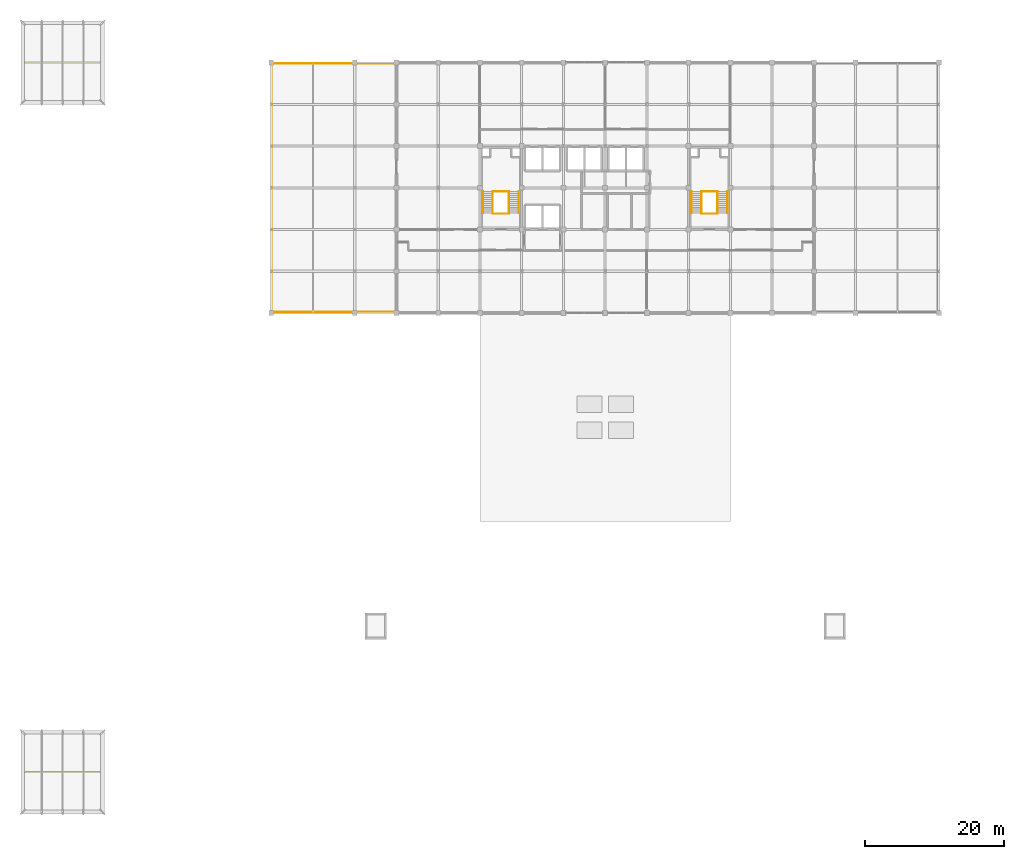
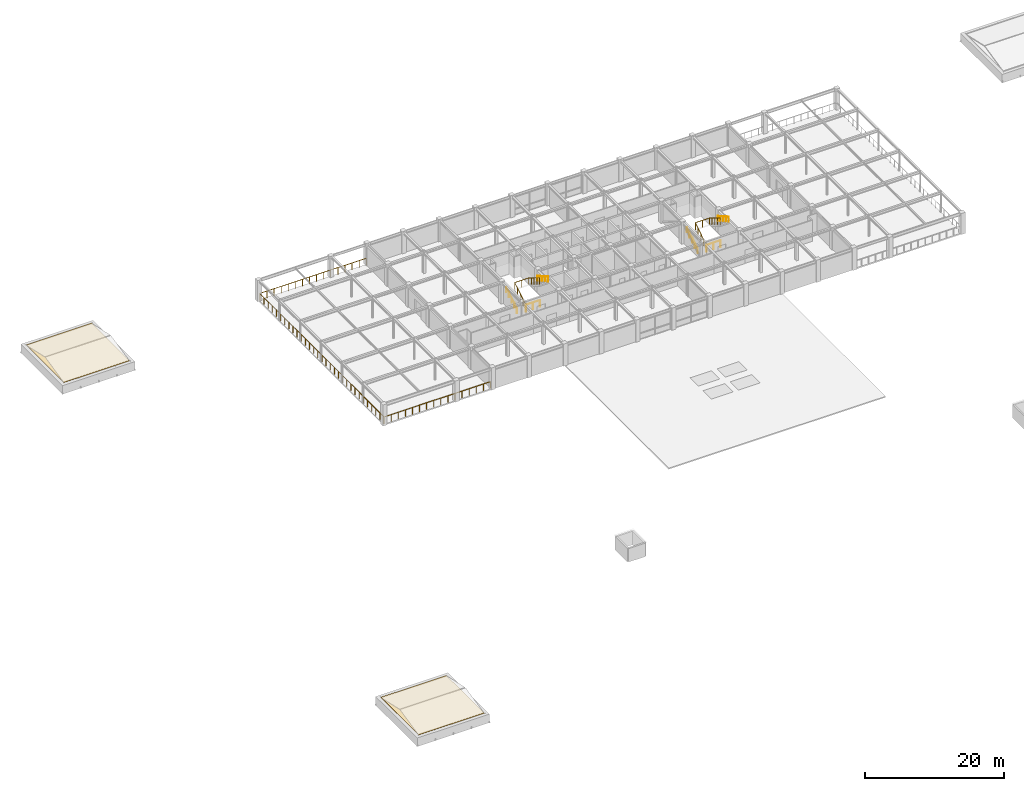
# One storey, part 24 of 25: 9 railings, 2 coverings.
"""IFC4 building model written with IfcOpenShell, lengths in metres."""

import ifcopenshell
import ifcopenshell.guid

model = None  # the IFC model being written
_history = None  # IfcOwnerHistory: only IFC2X3 demands one
_inside = {}  # id of a spatial element -> (the spatial element, [elements in it])
_under = {}  # id of a project, library or spatial element -> (it, [spatial elements below it])
_declared = {}  # id of a project -> (the project, [libraries it declares])
_typed = {}  # id of a type object -> (the type object, [elements of that type])
_made_of = {}  # id of a material, layer set ... -> (it, [elements and type objects made of it])


def new_model(schema):
    """Start an empty IFC model of exactly this schema.

    Asked for "IFC4X3", IfcOpenShell would pick the latest addendum, in which some entities
    have other attributes; the version numbers below select the first issue.
    IFC2X3 requires an IfcOwnerHistory on every rooted entity: one is made here for all.
    """
    global model, _history
    if schema == "IFC4X3":
        model = ifcopenshell.file(schema_version=(4, 3, 0, 0))
    else:
        model = ifcopenshell.file(schema=schema)
    _inside.clear()
    _under.clear()
    _declared.clear()
    _typed.clear()
    _made_of.clear()
    _history = None
    if model.schema == "IFC2X3":
        org = make("IfcOrganization", Name="unknown")
        user = make(
            "IfcPersonAndOrganization",
            ThePerson=make("IfcPerson", FamilyName="unknown"),
            TheOrganization=org,
        )
        app = make(
            "IfcApplication",
            ApplicationDeveloper=org,
            Version="unknown",
            ApplicationFullName="unknown",
            ApplicationIdentifier="unknown",
        )
        _history = make(
            "IfcOwnerHistory",
            OwningUser=user,
            OwningApplication=app,
            ChangeAction="ADDED",
            CreationDate=0,
        )
    return model


def make(cls, **values):
    """One entity of the class cls with the attributes given. An attribute that is None is left unset."""
    return model.create_entity(
        cls, **{name: value for name, value in values.items() if value is not None}
    )


def rooted(cls, **values):
    """An entity with a GlobalId (a new one), such as an element, a storey or a relation."""
    return make(cls, GlobalId=ifcopenshell.guid.new(), OwnerHistory=_history, **values)


def si_unit(unit_type, name, prefix=None):
    """IfcSIUnit, for example si_unit("LENGTHUNIT", "METRE", prefix="MILLI")."""
    return make("IfcSIUnit", UnitType=unit_type, Prefix=prefix, Name=name)


def assignment(units):
    """IfcUnitAssignment: the units of a project."""
    return None if units is None else make("IfcUnitAssignment", Units=units)


def point(xyz):
    """IfcCartesianPoint."""
    return None if xyz is None else make("IfcCartesianPoint", Coordinates=xyz)


def direction(xyz):
    """IfcDirection."""
    return None if xyz is None else make("IfcDirection", DirectionRatios=xyz)


def frame(location, z_axis=None, x_axis=None):
    """IfcAxis2Placement3D, a coordinate frame: its origin and axes. An axis left out is left unset."""
    return make(
        "IfcAxis2Placement3D",
        Location=point(location),
        Axis=direction(z_axis),
        RefDirection=direction(x_axis),
    )


def frame_2d(location, x_axis=None):
    """IfcAxis2Placement2D, a coordinate frame in the plane: its origin and x axis."""
    return make(
        "IfcAxis2Placement2D", Location=point(location), RefDirection=direction(x_axis)
    )


def origin():
    """The frame at (0, 0, 0) with its axes left unset."""
    return frame((0.0, 0.0, 0.0))


def origin_2d():
    """The frame at (0, 0) in the plane with its x axis left unset."""
    return frame_2d((0.0, 0.0))


def place(relative_to, where):
    """IfcLocalPlacement: puts the frame where relative to a parent placement (None: the world)."""
    return make(
        "IfcLocalPlacement", PlacementRelTo=relative_to, RelativePlacement=where
    )


def context(
    kind, dimensions, precision=None, world=None, true_north=None, identifier=None
):
    """IfcGeometricRepresentationContext, for example the 3D "Model" context."""
    return make(
        "IfcGeometricRepresentationContext",
        ContextIdentifier=identifier,
        ContextType=kind,
        CoordinateSpaceDimension=dimensions,
        Precision=precision,
        WorldCoordinateSystem=world,
        TrueNorth=true_north,
    )


def subcontext(parent, identifier, kind, view, scale=None):
    """IfcGeometricRepresentationSubContext, for example "Body" below "Model"."""
    return make(
        "IfcGeometricRepresentationSubContext",
        ContextIdentifier=identifier,
        ContextType=kind,
        ParentContext=parent,
        TargetScale=scale,
        TargetView=view,
    )


def project(units=None, contexts=None):
    """IfcProject with its units and contexts."""
    return rooted(
        "IfcProject",
        Name="project",
        RepresentationContexts=contexts,
        UnitsInContext=assignment(units),
    )


def spatial(cls, under=None, at=None, **own):
    """A site, building, storey or space (cls), placed at a placement, below another one or the project."""
    s = rooted(cls, ObjectPlacement=at, **own)
    if under is not None:
        _under.setdefault(under.id(), (under, []))[1].append(s)
    return s


def polyline(points):
    """IfcPolyline through the points."""
    return make("IfcPolyline", Points=[point(p) for p in points])


def profile(cls, at=None, kind="AREA", **sizes):
    """A parametric profile (cls). Its sizes go by their IFC names, for example OverallWidth=200.0."""
    return make(cls, ProfileType=kind, Position=at, **sizes)


def circle(**sizes):
    """IfcCircleProfileDef."""
    return profile("IfcCircleProfileDef", **sizes)


def outline(outer, holes=None, kind="AREA"):
    """IfcArbitraryClosedProfileDef: a profile drawn as a closed curve; with holes, ...WithVoids."""
    if holes is None:
        return make("IfcArbitraryClosedProfileDef", ProfileType=kind, OuterCurve=outer)
    return make(
        "IfcArbitraryProfileDefWithVoids",
        ProfileType=kind,
        OuterCurve=outer,
        InnerCurves=holes,
    )


def extrude(swept, where, along, depth):
    """IfcExtrudedAreaSolid: the profile swept, set in the frame where, extruded along a direction by depth."""
    return make(
        "IfcExtrudedAreaSolid",
        SweptArea=swept,
        Position=where,
        ExtrudedDirection=direction(along),
        Depth=depth,
    )


def shape(context_of_items, identifier, shape_type, items):
    """IfcShapeRepresentation: the items that make up one representation, for example the "Body"."""
    return make(
        "IfcShapeRepresentation",
        ContextOfItems=context_of_items,
        RepresentationIdentifier=identifier,
        RepresentationType=shape_type,
        Items=items,
    )


def material(Name=None, Category=None):
    """IfcMaterial."""
    return make("IfcMaterial", Name=Name, Category=Category)


def layer(
    of_material, thickness, ventilated=None, Name=None, Category=None, Priority=None
):
    """IfcMaterialLayer: one layer of a wall or slab, of a material (None: an air gap)."""
    return make(
        "IfcMaterialLayer",
        Material=of_material,
        LayerThickness=thickness,
        IsVentilated=ventilated,
        Name=Name,
        Category=Category,
        Priority=Priority,
    )


def layer_set(layers, Name=None):
    """IfcMaterialLayerSet."""
    return make("IfcMaterialLayerSet", MaterialLayers=layers, LayerSetName=Name)


def made_of(thing, what):
    """Note that an element or type object is made of a material, layer set ...; save() writes the relation."""
    if what is not None:
        _made_of.setdefault(what.id(), (what, []))[1].append(thing)
    return thing


def type_object(cls, material=None, **own):
    """A type object (cls), such as IfcWallType, which elements share."""
    return made_of(rooted(cls, **own), material)


def element(
    cls,
    number,
    at=None,
    inside=None,
    cuts=None,
    type_object=None,
    material=None,
    context=None,
    identifier="Body",
    shape_type=None,
    held_by="IfcProductDefinitionShape",
    body=None,
    shapes=None,
    **own,
):
    """One element of the class cls, such as IfcWall. Its Tag is "e" and its number.

    at: its placement. inside: the storey or other place that contains it. cuts: it is an
    opening in that element (IfcRelVoidsElement). A single representation is given by context,
    identifier, shape_type and body (its items); several are given by shapes. held_by: the class
    of the entity that holds the representations. save() writes the other relations.
    """
    e = rooted(cls, Tag="e%d" % number, ObjectPlacement=at, **own)
    if body is not None:
        shapes = [shape(context, identifier, shape_type, body)]
    if shapes is not None:
        e.Representation = make(held_by, Representations=shapes)
    if inside is not None:
        _inside.setdefault(inside.id(), (inside, []))[1].append(e)
    if cuts is not None:
        rooted(
            "IfcRelVoidsElement", RelatingBuildingElement=cuts, RelatedOpeningElement=e
        )
    if type_object is not None:
        _typed.setdefault(type_object.id(), (type_object, []))[1].append(e)
    return made_of(e, material)


def aggregate(whole, parts):
    """IfcRelAggregates: a whole, such as a stair, and the parts it consists of."""
    return rooted("IfcRelAggregates", RelatingObject=whole, RelatedObjects=parts)


def save(model, path):
    """Write the relations noted so far, then the file.

    IfcRelAggregates (storeys below a building ...), IfcRelContainedInSpatialStructure (elements
    in a storey), IfcRelDefinesByType, IfcRelAssociatesMaterial and IfcRelDeclares: one each for
    every whole, place, type object, material and project.
    """
    for whole, parts in _under.values():
        aggregate(whole, parts)
    for where, things in _inside.values():
        rooted(
            "IfcRelContainedInSpatialStructure",
            RelatedElements=things,
            RelatingStructure=where,
        )
    for kind, things in _typed.values():
        rooted("IfcRelDefinesByType", RelatedObjects=things, RelatingType=kind)
    for what, things in _made_of.values():
        rooted("IfcRelAssociatesMaterial", RelatedObjects=things, RelatingMaterial=what)
    for by, libraries in _declared.values():
        rooted("IfcRelDeclares", RelatingContext=by, RelatedDefinitions=libraries)
    model.write(path)


model = new_model("IFC4")

# Units and contexts
model_context = context("Model", 3, precision=1e-05, world=origin(), true_north=direction((0.0, 1.0)))
body_context = subcontext(model_context, "Body", "Model", "MODEL_VIEW")
ifc_project = project(units=[si_unit("LENGTHUNIT", "METRE"), si_unit("AREAUNIT", "SQUARE_METRE"), si_unit("VOLUMEUNIT", "CUBIC_METRE"), si_unit("PLANEANGLEUNIT", "RADIAN"), si_unit("MASSUNIT", "GRAM", prefix="KILO")], contexts=[model_context])

# Site, building, storey
site_placement = place(None, origin())
site = spatial("IfcSite", under=ifc_project, at=site_placement, CompositionType="ELEMENT")
building_placement = place(site_placement, origin())
building = spatial("IfcBuilding", under=site, at=building_placement, Name="Zlatovratsky Civic Hall", CompositionType="ELEMENT")
storey_placement = place(building_placement, frame((0.0, 0.0, 21.0)))
storey = spatial("IfcBuildingStorey", under=building, at=storey_placement, Name="L05", CompositionType="ELEMENT", Elevation=21.0)

# Coverings
ifc_material_1 = material(Name="Standing-seam patinated copper roofing")
ifc_layer = layer(ifc_material_1, 0.030029296875)
ifc_layer_set = layer_set([ifc_layer], Name="Standing-seam patinated copper roofing")
covering_type = type_object("IfcCoveringType", Name="Covering_CopperMansardRoofing", PredefinedType="ROOFING", material=ifc_layer_set)
covering_1_placement = place(storey_placement, frame((0.0, 0.0, 1.199951171875)))
element("IfcCovering", 1, at=covering_1_placement, inside=storey, type_object=covering_type, Name="RFG-0-0", PredefinedType="ROOFING", context=body_context, shape_type="SweptSolid", body=[
    extrude(outline(polyline([(0.550048828125, 0.550048828125), (11.449951171875, 0.550048828125), (11.449951171875, 11.449951171875), (0.550048828125, 11.449951171875), (0.550048828125, 0.550048828125)])), origin(), (0.0, 0.0, 1.0), 0.030029296875),
])
covering_2_placement = place(storey_placement, frame((0.0, 0.0, 1.199951171875)))
element("IfcCovering", 2, at=covering_2_placement, inside=storey, type_object=covering_type, Name="RFG-0-102", PredefinedType="ROOFING", context=body_context, shape_type="SweptSolid", body=[
    extrude(outline(polyline([(0.550048828125, 102.550048828125), (11.449951171875, 102.550048828125), (11.449951171875, 113.449951171875), (0.550048828125, 113.449951171875), (0.550048828125, 102.550048828125)])), origin(), (0.0, 0.0, 1.0), 0.030029296875),
])

# Railings
ifc_material_2 = material(Name="Brushed stainless steel AISI 304", Category="steel")
railing_type_1 = type_object("IfcRailingType", Name="Railing_Guardrail_1200", PredefinedType="GUARDRAIL", material=ifc_material_2)
railing_1_placement = place(storey_placement, frame((67.840087890625, 86.35009765625, 0.0)))
element("IfcRailing", 3, at=railing_1_placement, inside=storey, type_object=railing_type_1, Name="RL-0520", PredefinedType="GUARDRAIL", context=body_context, shape_type="SweptSolid", body=[
    extrude(circle(Radius=0.02392578125, at=origin_2d()), frame((0.0, 0.0, 1.17578125), z_axis=(0.0, 0.849144259976, 0.528160984692), x_axis=(-1.0, 0.0, 0.0)), (0.0, 0.0, 1.0), 3.69189453125),
    extrude(circle(Radius=0.02392578125, at=origin_2d()), frame((0.0, 3.135009765625, 3.1259765625), z_axis=(1.0, 0.0, 0.0), x_axis=(0.0, 1.0, 0.0)), (0.0, 0.0, 1.0), 2.31982421875),
    extrude(circle(Radius=0.02392578125, at=origin_2d()), frame((2.31982421875, 3.135009765625, 3.1259765625), z_axis=(0.0, -0.849144259976, 0.528160984692), x_axis=(1.0, 0.0, 0.0)), (0.0, 0.0, 1.0), 3.69189453125),
    extrude(circle(Radius=0.02099609375, at=origin_2d()), origin(), (0.0, 0.0, 1.0), 1.15185546875),
    extrude(circle(Radius=0.02099609375, at=origin_2d()), frame((0.0, 0.78369140625, 0.487548828125)), (0.0, 0.0, 1.0), 1.15185546875),
    extrude(circle(Radius=0.02099609375, at=origin_2d()), frame((0.0, 1.5673828125, 0.97509765625)), (0.0, 0.0, 1.0), 1.15185546875),
    extrude(circle(Radius=0.02099609375, at=origin_2d()), frame((0.0, 2.351318359375, 1.46240234375)), (0.0, 0.0, 1.0), 1.15185546875),
    extrude(circle(Radius=0.02099609375, at=origin_2d()), frame((0.0, 3.135009765625, 1.949951171875)), (0.0, 0.0, 1.0), 1.15185546875),
    extrude(circle(Radius=0.02099609375, at=origin_2d()), frame((1.159912109375, 3.135009765625, 1.949951171875)), (0.0, 0.0, 1.0), 1.15185546875),
    extrude(circle(Radius=0.02099609375, at=origin_2d()), frame((2.31982421875, 3.135009765625, 1.949951171875)), (0.0, 0.0, 1.0), 1.15185546875),
    extrude(circle(Radius=0.02099609375, at=origin_2d()), frame((2.31982421875, 2.351318359375, 2.4375)), (0.0, 0.0, 1.0), 1.15185546875),
    extrude(circle(Radius=0.02099609375, at=origin_2d()), frame((2.31982421875, 1.5673828125, 2.9248046875)), (0.0, 0.0, 1.0), 1.15185546875),
    extrude(circle(Radius=0.02099609375, at=origin_2d()), frame((2.31982421875, 0.78369140625, 3.412353515625)), (0.0, 0.0, 1.0), 1.15185546875),
    extrude(circle(Radius=0.02099609375, at=origin_2d()), frame((2.31982421875, 0.0, 3.89990234375)), (0.0, 0.0, 1.0), 1.15185546875),
])
railing_2_placement = place(storey_placement, frame((67.840087890625, 86.27001953125, 0.0)))
element("IfcRailing", 4, at=railing_2_placement, inside=storey, type_object=railing_type_1, Name="RL-0523", PredefinedType="GUARDRAIL", context=body_context, shape_type="SweptSolid", body=[
    extrude(circle(Radius=0.02392578125, at=origin_2d()), frame((0.0, 0.0, 1.17578125), z_axis=(1.0, 0.0, 0.0), x_axis=(0.0, 1.0, 0.0)), (0.0, 0.0, 1.0), 2.31982421875),
    extrude(circle(Radius=0.02099609375, at=origin_2d()), origin(), (0.0, 0.0, 1.0), 1.15185546875),
    extrude(circle(Radius=0.02099609375, at=origin_2d()), frame((1.159912109375, 0.0, 0.0)), (0.0, 0.0, 1.0), 1.15185546875),
    extrude(circle(Radius=0.02099609375, at=origin_2d()), frame((2.31982421875, 0.0, 0.0)), (0.0, 0.0, 1.0), 1.15185546875),
])
railing_3_placement = place(storey_placement, frame((97.840087890625, 86.35009765625, 0.0)))
element("IfcRailing", 5, at=railing_3_placement, inside=storey, type_object=railing_type_1, Name="RL-0596", PredefinedType="GUARDRAIL", context=body_context, shape_type="SweptSolid", body=[
    extrude(circle(Radius=0.02392578125, at=origin_2d()), frame((0.0, 0.0, 1.17578125), z_axis=(0.0, 0.849144259976, 0.528160984692), x_axis=(-1.0, 0.0, 0.0)), (0.0, 0.0, 1.0), 3.69189453125),
    extrude(circle(Radius=0.02392578125, at=origin_2d()), frame((0.0, 3.135009765625, 3.1259765625), z_axis=(1.0, 0.0, 0.0), x_axis=(0.0, 1.0, 0.0)), (0.0, 0.0, 1.0), 2.31982421875),
    extrude(circle(Radius=0.02392578125, at=origin_2d()), frame((2.31982421875, 3.135009765625, 3.1259765625), z_axis=(0.0, -0.849144259976, 0.528160984692), x_axis=(1.0, 0.0, 0.0)), (0.0, 0.0, 1.0), 3.69189453125),
    extrude(circle(Radius=0.02099609375, at=origin_2d()), origin(), (0.0, 0.0, 1.0), 1.15185546875),
    extrude(circle(Radius=0.02099609375, at=origin_2d()), frame((0.0, 0.78369140625, 0.487548828125)), (0.0, 0.0, 1.0), 1.15185546875),
    extrude(circle(Radius=0.02099609375, at=origin_2d()), frame((0.0, 1.5673828125, 0.97509765625)), (0.0, 0.0, 1.0), 1.15185546875),
    extrude(circle(Radius=0.02099609375, at=origin_2d()), frame((0.0, 2.351318359375, 1.46240234375)), (0.0, 0.0, 1.0), 1.15185546875),
    extrude(circle(Radius=0.02099609375, at=origin_2d()), frame((0.0, 3.135009765625, 1.949951171875)), (0.0, 0.0, 1.0), 1.15185546875),
    extrude(circle(Radius=0.02099609375, at=origin_2d()), frame((1.159912109375, 3.135009765625, 1.949951171875)), (0.0, 0.0, 1.0), 1.15185546875),
    extrude(circle(Radius=0.02099609375, at=origin_2d()), frame((2.31982421875, 3.135009765625, 1.949951171875)), (0.0, 0.0, 1.0), 1.15185546875),
    extrude(circle(Radius=0.02099609375, at=origin_2d()), frame((2.31982421875, 2.351318359375, 2.4375)), (0.0, 0.0, 1.0), 1.15185546875),
    extrude(circle(Radius=0.02099609375, at=origin_2d()), frame((2.31982421875, 1.5673828125, 2.9248046875)), (0.0, 0.0, 1.0), 1.15185546875),
    extrude(circle(Radius=0.02099609375, at=origin_2d()), frame((2.31982421875, 0.78369140625, 3.412353515625)), (0.0, 0.0, 1.0), 1.15185546875),
    extrude(circle(Radius=0.02099609375, at=origin_2d()), frame((2.31982421875, 0.0, 3.89990234375)), (0.0, 0.0, 1.0), 1.15185546875),
])
railing_4_placement = place(storey_placement, frame((97.840087890625, 86.27001953125, 0.0)))
element("IfcRailing", 6, at=railing_4_placement, inside=storey, type_object=railing_type_1, Name="RL-0599", PredefinedType="GUARDRAIL", context=body_context, shape_type="SweptSolid", body=[
    extrude(circle(Radius=0.02392578125, at=origin_2d()), frame((0.0, 0.0, 1.17578125), z_axis=(1.0, 0.0, 0.0), x_axis=(0.0, 1.0, 0.0)), (0.0, 0.0, 1.0), 2.31982421875),
    extrude(circle(Radius=0.02099609375, at=origin_2d()), origin(), (0.0, 0.0, 1.0), 1.15185546875),
    extrude(circle(Radius=0.02099609375, at=origin_2d()), frame((1.159912109375, 0.0, 0.0)), (0.0, 0.0, 1.0), 1.15185546875),
    extrude(circle(Radius=0.02099609375, at=origin_2d()), frame((2.31982421875, 0.0, 0.0)), (0.0, 0.0, 1.0), 1.15185546875),
])
railing_type_2 = type_object("IfcRailingType", Name="Railing_Handrail_900", PredefinedType="HANDRAIL", material=ifc_material_2)
railing_5_placement = place(storey_placement, frame((66.429931640625, 86.35009765625, 0.1630859375)))
element("IfcRailing", 7, at=railing_5_placement, inside=storey, type_object=railing_type_2, Name="RL-0521", PredefinedType="HANDRAIL", context=body_context, shape_type="SweptSolid", body=[
    extrude(circle(Radius=0.02392578125, at=origin_2d()), frame((0.0, 0.0, 0.8759765625), z_axis=(0.0, 0.868788039808, 0.495184149471), x_axis=(-1.0, 0.0, 0.0)), (0.0, 0.0, 1.0), 3.6083984375),
    extrude(circle(Radius=0.02099609375, at=origin_2d()), origin(), (0.0, 0.0, 1.0), 0.851806640625),
    extrude(circle(Radius=0.02099609375, at=origin_2d()), frame((0.0, 0.78369140625, 0.44677734375)), (0.0, 0.0, 1.0), 0.851806640625),
    extrude(circle(Radius=0.02099609375, at=origin_2d()), frame((0.0, 1.5673828125, 0.8935546875)), (0.0, 0.0, 1.0), 0.851806640625),
    extrude(circle(Radius=0.02099609375, at=origin_2d()), frame((0.0, 2.351318359375, 1.340087890625)), (0.0, 0.0, 1.0), 0.851806640625),
    extrude(circle(Radius=0.02099609375, at=origin_2d()), frame((0.0, 3.135009765625, 1.786865234375)), (0.0, 0.0, 1.0), 0.851806640625),
])
railing_6_placement = place(storey_placement, frame((71.570068359375, 89.485107421875, 2.113037109375)))
element("IfcRailing", 8, at=railing_6_placement, inside=storey, type_object=railing_type_2, Name="RL-0522", PredefinedType="HANDRAIL", context=body_context, shape_type="SweptSolid", body=[
    extrude(circle(Radius=0.02392578125, at=origin_2d()), frame((0.0, 0.0, 0.8759765625), z_axis=(0.0, -0.868788039808, 0.495184149471), x_axis=(1.0, 0.0, 0.0)), (0.0, 0.0, 1.0), 3.6083984375),
    extrude(circle(Radius=0.02099609375, at=origin_2d()), origin(), (0.0, 0.0, 1.0), 0.851806640625),
    extrude(circle(Radius=0.02099609375, at=origin_2d()), frame((0.0, -0.78369140625, 0.44677734375)), (0.0, 0.0, 1.0), 0.851806640625),
    extrude(circle(Radius=0.02099609375, at=origin_2d()), frame((0.0, -1.5673828125, 0.8935546875)), (0.0, 0.0, 1.0), 0.851806640625),
    extrude(circle(Radius=0.02099609375, at=origin_2d()), frame((0.0, -2.351318359375, 1.340087890625)), (0.0, 0.0, 1.0), 0.851806640625),
    extrude(circle(Radius=0.02099609375, at=origin_2d()), frame((0.0, -3.135009765625, 1.786865234375)), (0.0, 0.0, 1.0), 0.851806640625),
])
railing_7_placement = place(storey_placement, frame((96.429931640625, 86.35009765625, 0.1630859375)))
element("IfcRailing", 9, at=railing_7_placement, inside=storey, type_object=railing_type_2, Name="RL-0597", PredefinedType="HANDRAIL", context=body_context, shape_type="SweptSolid", body=[
    extrude(circle(Radius=0.02392578125, at=origin_2d()), frame((0.0, 0.0, 0.8759765625), z_axis=(0.0, 0.868788039808, 0.495184149471), x_axis=(-1.0, 0.0, 0.0)), (0.0, 0.0, 1.0), 3.6083984375),
    extrude(circle(Radius=0.02099609375, at=origin_2d()), origin(), (0.0, 0.0, 1.0), 0.851806640625),
    extrude(circle(Radius=0.02099609375, at=origin_2d()), frame((0.0, 0.78369140625, 0.44677734375)), (0.0, 0.0, 1.0), 0.851806640625),
    extrude(circle(Radius=0.02099609375, at=origin_2d()), frame((0.0, 1.5673828125, 0.8935546875)), (0.0, 0.0, 1.0), 0.851806640625),
    extrude(circle(Radius=0.02099609375, at=origin_2d()), frame((0.0, 2.351318359375, 1.340087890625)), (0.0, 0.0, 1.0), 0.851806640625),
    extrude(circle(Radius=0.02099609375, at=origin_2d()), frame((0.0, 3.135009765625, 1.786865234375)), (0.0, 0.0, 1.0), 0.851806640625),
])
railing_8_placement = place(storey_placement, frame((101.570068359375, 89.485107421875, 2.113037109375)))
element("IfcRailing", 10, at=railing_8_placement, inside=storey, type_object=railing_type_2, Name="RL-0598", PredefinedType="HANDRAIL", context=body_context, shape_type="SweptSolid", body=[
    extrude(circle(Radius=0.02392578125, at=origin_2d()), frame((0.0, 0.0, 0.8759765625), z_axis=(0.0, -0.868788039808, 0.495184149471), x_axis=(1.0, 0.0, 0.0)), (0.0, 0.0, 1.0), 3.6083984375),
    extrude(circle(Radius=0.02099609375, at=origin_2d()), origin(), (0.0, 0.0, 1.0), 0.851806640625),
    extrude(circle(Radius=0.02099609375, at=origin_2d()), frame((0.0, -0.78369140625, 0.44677734375)), (0.0, 0.0, 1.0), 0.851806640625),
    extrude(circle(Radius=0.02099609375, at=origin_2d()), frame((0.0, -1.5673828125, 0.8935546875)), (0.0, 0.0, 1.0), 0.851806640625),
    extrude(circle(Radius=0.02099609375, at=origin_2d()), frame((0.0, -2.351318359375, 1.340087890625)), (0.0, 0.0, 1.0), 0.851806640625),
    extrude(circle(Radius=0.02099609375, at=origin_2d()), frame((0.0, -3.135009765625, 1.786865234375)), (0.0, 0.0, 1.0), 0.851806640625),
])
ifc_material_3 = material(Name="Podolsk limestone ashlar", Category="masonry")
railing_type_3 = type_object("IfcRailingType", Name="Railing_StoneBalustrade_1200", PredefinedType="BALUSTRADE", material=ifc_material_3)
railing_9_placement = place(storey_placement, frame((53.800048828125, 72.139892578125, 0.0)))
element("IfcRailing", 11, at=railing_9_placement, inside=storey, type_object=railing_type_3, Name="RL-001", PredefinedType="BALUSTRADE", context=body_context, shape_type="SweptSolid", body=[
    extrude(circle(Radius=0.02392578125, at=origin_2d()), frame((0.0, 0.0, 1.17578125), z_axis=(-1.0, 0.0, 0.0), x_axis=(0.0, -1.0, 0.0)), (0.0, 0.0, 1.0), 17.66015625),
    extrude(circle(Radius=0.02392578125, at=origin_2d()), frame((-17.66015625, 0.0, 1.17578125), z_axis=(0.0, 1.0, 0.0), x_axis=(-1.0, 0.0, 0.0)), (0.0, 0.0, 1.0), 35.72021484375),
    extrude(circle(Radius=0.02392578125, at=origin_2d()), frame((-17.66015625, 35.72021484375, 1.17578125), z_axis=(1.0, 0.0, 0.0), x_axis=(0.0, 1.0, 0.0)), (0.0, 0.0, 1.0), 17.66015625),
    extrude(circle(Radius=0.02099609375, at=origin_2d()), origin(), (0.0, 0.0, 1.0), 1.15185546875),
    extrude(circle(Radius=0.02099609375, at=origin_2d()), frame((-1.17724609375, 0.0, 0.0)), (0.0, 0.0, 1.0), 1.15185546875),
    extrude(circle(Radius=0.02099609375, at=origin_2d()), frame((-2.354736328125, 0.0, 0.0)), (0.0, 0.0, 1.0), 1.15185546875),
    extrude(circle(Radius=0.02099609375, at=origin_2d()), frame((-3.531982421875, 0.0, 0.0)), (0.0, 0.0, 1.0), 1.15185546875),
    extrude(circle(Radius=0.02099609375, at=origin_2d()), frame((-4.70947265625, 0.0, 0.0)), (0.0, 0.0, 1.0), 1.15185546875),
    extrude(circle(Radius=0.02099609375, at=origin_2d()), frame((-5.88671875, 0.0, 0.0)), (0.0, 0.0, 1.0), 1.15185546875),
    extrude(circle(Radius=0.02099609375, at=origin_2d()), frame((-7.06396484375, 0.0, 0.0)), (0.0, 0.0, 1.0), 1.15185546875),
    extrude(circle(Radius=0.02099609375, at=origin_2d()), frame((-8.241455078125, 0.0, 0.0)), (0.0, 0.0, 1.0), 1.15185546875),
    extrude(circle(Radius=0.02099609375, at=origin_2d()), frame((-9.418701171875, 0.0, 0.0)), (0.0, 0.0, 1.0), 1.15185546875),
    extrude(circle(Radius=0.02099609375, at=origin_2d()), frame((-10.59619140625, 0.0, 0.0)), (0.0, 0.0, 1.0), 1.15185546875),
    extrude(circle(Radius=0.02099609375, at=origin_2d()), frame((-11.7734375, 0.0, 0.0)), (0.0, 0.0, 1.0), 1.15185546875),
    extrude(circle(Radius=0.02099609375, at=origin_2d()), frame((-12.95068359375, 0.0, 0.0)), (0.0, 0.0, 1.0), 1.15185546875),
    extrude(circle(Radius=0.02099609375, at=origin_2d()), frame((-14.128173828125, 0.0, 0.0)), (0.0, 0.0, 1.0), 1.15185546875),
    extrude(circle(Radius=0.02099609375, at=origin_2d()), frame((-15.305419921875, 0.0, 0.0)), (0.0, 0.0, 1.0), 1.15185546875),
    extrude(circle(Radius=0.02099609375, at=origin_2d()), frame((-16.48291015625, 0.0, 0.0)), (0.0, 0.0, 1.0), 1.15185546875),
    extrude(circle(Radius=0.02099609375, at=origin_2d()), frame((-17.66015625, 0.0, 0.0)), (0.0, 0.0, 1.0), 1.15185546875),
    extrude(circle(Radius=0.02099609375, at=origin_2d()), frame((-17.66015625, 1.190673828125, 0.0)), (0.0, 0.0, 1.0), 1.15185546875),
    extrude(circle(Radius=0.02099609375, at=origin_2d()), frame((-17.66015625, 2.38134765625, 0.0)), (0.0, 0.0, 1.0), 1.15185546875),
    extrude(circle(Radius=0.02099609375, at=origin_2d()), frame((-17.66015625, 3.572021484375, 0.0)), (0.0, 0.0, 1.0), 1.15185546875),
    extrude(circle(Radius=0.02099609375, at=origin_2d()), frame((-17.66015625, 4.7626953125, 0.0)), (0.0, 0.0, 1.0), 1.15185546875),
    extrude(circle(Radius=0.02099609375, at=origin_2d()), frame((-17.66015625, 5.953369140625, 0.0)), (0.0, 0.0, 1.0), 1.15185546875),
    extrude(circle(Radius=0.02099609375, at=origin_2d()), frame((-17.66015625, 7.14404296875, 0.0)), (0.0, 0.0, 1.0), 1.15185546875),
    extrude(circle(Radius=0.02099609375, at=origin_2d()), frame((-17.66015625, 8.334716796875, 0.0)), (0.0, 0.0, 1.0), 1.15185546875),
    extrude(circle(Radius=0.02099609375, at=origin_2d()), frame((-17.66015625, 9.525390625, 0.0)), (0.0, 0.0, 1.0), 1.15185546875),
    extrude(circle(Radius=0.02099609375, at=origin_2d()), frame((-17.66015625, 10.716064453125, 0.0)), (0.0, 0.0, 1.0), 1.15185546875),
    extrude(circle(Radius=0.02099609375, at=origin_2d()), frame((-17.66015625, 11.90673828125, 0.0)), (0.0, 0.0, 1.0), 1.15185546875),
    extrude(circle(Radius=0.02099609375, at=origin_2d()), frame((-17.66015625, 13.097412109375, 0.0)), (0.0, 0.0, 1.0), 1.15185546875),
    extrude(circle(Radius=0.02099609375, at=origin_2d()), frame((-17.66015625, 14.2880859375, 0.0)), (0.0, 0.0, 1.0), 1.15185546875),
    extrude(circle(Radius=0.02099609375, at=origin_2d()), frame((-17.66015625, 15.478759765625, 0.0)), (0.0, 0.0, 1.0), 1.15185546875),
    extrude(circle(Radius=0.02099609375, at=origin_2d()), frame((-17.66015625, 16.66943359375, 0.0)), (0.0, 0.0, 1.0), 1.15185546875),
    extrude(circle(Radius=0.02099609375, at=origin_2d()), frame((-17.66015625, 17.860107421875, 0.0)), (0.0, 0.0, 1.0), 1.15185546875),
    extrude(circle(Radius=0.02099609375, at=origin_2d()), frame((-17.66015625, 19.05078125, 0.0)), (0.0, 0.0, 1.0), 1.15185546875),
    extrude(circle(Radius=0.02099609375, at=origin_2d()), frame((-17.66015625, 20.241455078125, 0.0)), (0.0, 0.0, 1.0), 1.15185546875),
    extrude(circle(Radius=0.02099609375, at=origin_2d()), frame((-17.66015625, 21.43212890625, 0.0)), (0.0, 0.0, 1.0), 1.15185546875),
    extrude(circle(Radius=0.02099609375, at=origin_2d()), frame((-17.66015625, 22.622802734375, 0.0)), (0.0, 0.0, 1.0), 1.15185546875),
    extrude(circle(Radius=0.02099609375, at=origin_2d()), frame((-17.66015625, 23.8134765625, 0.0)), (0.0, 0.0, 1.0), 1.15185546875),
    extrude(circle(Radius=0.02099609375, at=origin_2d()), frame((-17.66015625, 25.004150390625, 0.0)), (0.0, 0.0, 1.0), 1.15185546875),
    extrude(circle(Radius=0.02099609375, at=origin_2d()), frame((-17.66015625, 26.19482421875, 0.0)), (0.0, 0.0, 1.0), 1.15185546875),
    extrude(circle(Radius=0.02099609375, at=origin_2d()), frame((-17.66015625, 27.385498046875, 0.0)), (0.0, 0.0, 1.0), 1.15185546875),
    extrude(circle(Radius=0.02099609375, at=origin_2d()), frame((-17.66015625, 28.576171875, 0.0)), (0.0, 0.0, 1.0), 1.15185546875),
    extrude(circle(Radius=0.02099609375, at=origin_2d()), frame((-17.66015625, 29.766845703125, 0.0)), (0.0, 0.0, 1.0), 1.15185546875),
    extrude(circle(Radius=0.02099609375, at=origin_2d()), frame((-17.66015625, 30.95751953125, 0.0)), (0.0, 0.0, 1.0), 1.15185546875),
    extrude(circle(Radius=0.02099609375, at=origin_2d()), frame((-17.66015625, 32.148193359375, 0.0)), (0.0, 0.0, 1.0), 1.15185546875),
    extrude(circle(Radius=0.02099609375, at=origin_2d()), frame((-17.66015625, 33.3388671875, 0.0)), (0.0, 0.0, 1.0), 1.15185546875),
    extrude(circle(Radius=0.02099609375, at=origin_2d()), frame((-17.66015625, 34.529541015625, 0.0)), (0.0, 0.0, 1.0), 1.15185546875),
    extrude(circle(Radius=0.02099609375, at=origin_2d()), frame((-17.66015625, 35.72021484375, 0.0)), (0.0, 0.0, 1.0), 1.15185546875),
    extrude(circle(Radius=0.02099609375, at=origin_2d()), frame((-16.48291015625, 35.72021484375, 0.0)), (0.0, 0.0, 1.0), 1.15185546875),
    extrude(circle(Radius=0.02099609375, at=origin_2d()), frame((-15.305419921875, 35.72021484375, 0.0)), (0.0, 0.0, 1.0), 1.15185546875),
    extrude(circle(Radius=0.02099609375, at=origin_2d()), frame((-14.128173828125, 35.72021484375, 0.0)), (0.0, 0.0, 1.0), 1.15185546875),
    extrude(circle(Radius=0.02099609375, at=origin_2d()), frame((-12.95068359375, 35.72021484375, 0.0)), (0.0, 0.0, 1.0), 1.15185546875),
    extrude(circle(Radius=0.02099609375, at=origin_2d()), frame((-11.7734375, 35.72021484375, 0.0)), (0.0, 0.0, 1.0), 1.15185546875),
    extrude(circle(Radius=0.02099609375, at=origin_2d()), frame((-10.59619140625, 35.72021484375, 0.0)), (0.0, 0.0, 1.0), 1.15185546875),
    extrude(circle(Radius=0.02099609375, at=origin_2d()), frame((-9.418701171875, 35.72021484375, 0.0)), (0.0, 0.0, 1.0), 1.15185546875),
    extrude(circle(Radius=0.02099609375, at=origin_2d()), frame((-8.241455078125, 35.72021484375, 0.0)), (0.0, 0.0, 1.0), 1.15185546875),
    extrude(circle(Radius=0.02099609375, at=origin_2d()), frame((-7.06396484375, 35.72021484375, 0.0)), (0.0, 0.0, 1.0), 1.15185546875),
    extrude(circle(Radius=0.02099609375, at=origin_2d()), frame((-5.88671875, 35.72021484375, 0.0)), (0.0, 0.0, 1.0), 1.15185546875),
    extrude(circle(Radius=0.02099609375, at=origin_2d()), frame((-4.70947265625, 35.72021484375, 0.0)), (0.0, 0.0, 1.0), 1.15185546875),
    extrude(circle(Radius=0.02099609375, at=origin_2d()), frame((-3.531982421875, 35.72021484375, 0.0)), (0.0, 0.0, 1.0), 1.15185546875),
    extrude(circle(Radius=0.02099609375, at=origin_2d()), frame((-2.354736328125, 35.72021484375, 0.0)), (0.0, 0.0, 1.0), 1.15185546875),
    extrude(circle(Radius=0.02099609375, at=origin_2d()), frame((-1.17724609375, 35.72021484375, 0.0)), (0.0, 0.0, 1.0), 1.15185546875),
    extrude(circle(Radius=0.02099609375, at=origin_2d()), frame((0.0, 35.72021484375, 0.0)), (0.0, 0.0, 1.0), 1.15185546875),
])

save(model, "model.ifc")
